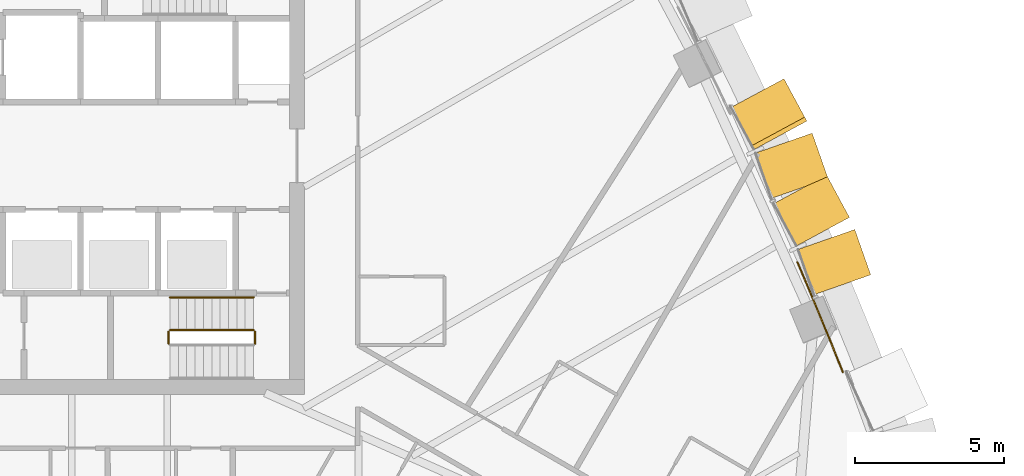
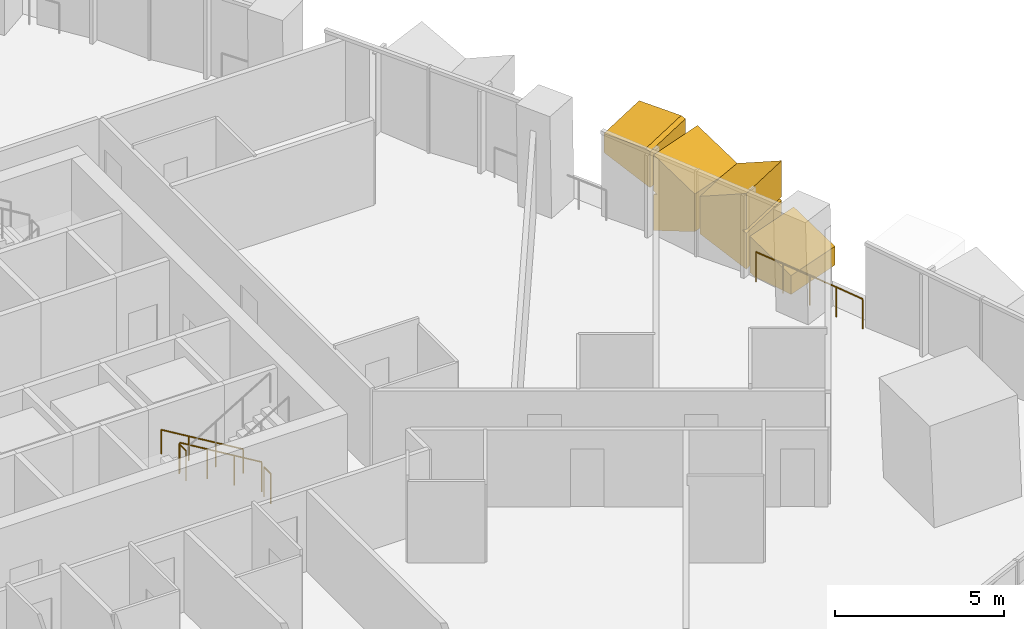
# One storey, part 22 of 27: 5 railings, 4 coverings.
"""IFC4 building model written with IfcOpenShell, lengths in metres."""

import ifcopenshell
import ifcopenshell.guid

model = None  # the IFC model being written
_history = None  # IfcOwnerHistory: only IFC2X3 demands one
_inside = {}  # id of a spatial element -> (the spatial element, [elements in it])
_under = {}  # id of a project, library or spatial element -> (it, [spatial elements below it])
_declared = {}  # id of a project -> (the project, [libraries it declares])
_typed = {}  # id of a type object -> (the type object, [elements of that type])
_made_of = {}  # id of a material, layer set ... -> (it, [elements and type objects made of it])


def new_model(schema):
    """Start an empty IFC model of exactly this schema.

    Asked for "IFC4X3", IfcOpenShell would pick the latest addendum, in which some entities
    have other attributes; the version numbers below select the first issue.
    IFC2X3 requires an IfcOwnerHistory on every rooted entity: one is made here for all.
    """
    global model, _history
    if schema == "IFC4X3":
        model = ifcopenshell.file(schema_version=(4, 3, 0, 0))
    else:
        model = ifcopenshell.file(schema=schema)
    _inside.clear()
    _under.clear()
    _declared.clear()
    _typed.clear()
    _made_of.clear()
    _history = None
    if model.schema == "IFC2X3":
        org = make("IfcOrganization", Name="unknown")
        user = make(
            "IfcPersonAndOrganization",
            ThePerson=make("IfcPerson", FamilyName="unknown"),
            TheOrganization=org,
        )
        app = make(
            "IfcApplication",
            ApplicationDeveloper=org,
            Version="unknown",
            ApplicationFullName="unknown",
            ApplicationIdentifier="unknown",
        )
        _history = make(
            "IfcOwnerHistory",
            OwningUser=user,
            OwningApplication=app,
            ChangeAction="ADDED",
            CreationDate=0,
        )
    return model


def make(cls, **values):
    """One entity of the class cls with the attributes given. An attribute that is None is left unset."""
    return model.create_entity(
        cls, **{name: value for name, value in values.items() if value is not None}
    )


def rooted(cls, **values):
    """An entity with a GlobalId (a new one), such as an element, a storey or a relation."""
    return make(cls, GlobalId=ifcopenshell.guid.new(), OwnerHistory=_history, **values)


def si_unit(unit_type, name, prefix=None):
    """IfcSIUnit, for example si_unit("LENGTHUNIT", "METRE", prefix="MILLI")."""
    return make("IfcSIUnit", UnitType=unit_type, Prefix=prefix, Name=name)


def assignment(units):
    """IfcUnitAssignment: the units of a project."""
    return None if units is None else make("IfcUnitAssignment", Units=units)


def point(xyz):
    """IfcCartesianPoint."""
    return None if xyz is None else make("IfcCartesianPoint", Coordinates=xyz)


def direction(xyz):
    """IfcDirection."""
    return None if xyz is None else make("IfcDirection", DirectionRatios=xyz)


def frame(location, z_axis=None, x_axis=None):
    """IfcAxis2Placement3D, a coordinate frame: its origin and axes. An axis left out is left unset."""
    return make(
        "IfcAxis2Placement3D",
        Location=point(location),
        Axis=direction(z_axis),
        RefDirection=direction(x_axis),
    )


def frame_2d(location, x_axis=None):
    """IfcAxis2Placement2D, a coordinate frame in the plane: its origin and x axis."""
    return make(
        "IfcAxis2Placement2D", Location=point(location), RefDirection=direction(x_axis)
    )


def origin():
    """The frame at (0, 0, 0) with its axes left unset."""
    return frame((0.0, 0.0, 0.0))


def origin_2d():
    """The frame at (0, 0) in the plane with its x axis left unset."""
    return frame_2d((0.0, 0.0))


def place(relative_to, where):
    """IfcLocalPlacement: puts the frame where relative to a parent placement (None: the world)."""
    return make(
        "IfcLocalPlacement", PlacementRelTo=relative_to, RelativePlacement=where
    )


def context(
    kind, dimensions, precision=None, world=None, true_north=None, identifier=None
):
    """IfcGeometricRepresentationContext, for example the 3D "Model" context."""
    return make(
        "IfcGeometricRepresentationContext",
        ContextIdentifier=identifier,
        ContextType=kind,
        CoordinateSpaceDimension=dimensions,
        Precision=precision,
        WorldCoordinateSystem=world,
        TrueNorth=true_north,
    )


def subcontext(parent, identifier, kind, view, scale=None):
    """IfcGeometricRepresentationSubContext, for example "Body" below "Model"."""
    return make(
        "IfcGeometricRepresentationSubContext",
        ContextIdentifier=identifier,
        ContextType=kind,
        ParentContext=parent,
        TargetScale=scale,
        TargetView=view,
    )


def project(units=None, contexts=None):
    """IfcProject with its units and contexts."""
    return rooted(
        "IfcProject",
        Name="project",
        RepresentationContexts=contexts,
        UnitsInContext=assignment(units),
    )


def spatial(cls, under=None, at=None, **own):
    """A site, building, storey or space (cls), placed at a placement, below another one or the project."""
    s = rooted(cls, ObjectPlacement=at, **own)
    if under is not None:
        _under.setdefault(under.id(), (under, []))[1].append(s)
    return s


def polyline(points):
    """IfcPolyline through the points."""
    return make("IfcPolyline", Points=[point(p) for p in points])


def profile(cls, at=None, kind="AREA", **sizes):
    """A parametric profile (cls). Its sizes go by their IFC names, for example OverallWidth=200.0."""
    return make(cls, ProfileType=kind, Position=at, **sizes)


def circle(**sizes):
    """IfcCircleProfileDef."""
    return profile("IfcCircleProfileDef", **sizes)


def outline(outer, holes=None, kind="AREA"):
    """IfcArbitraryClosedProfileDef: a profile drawn as a closed curve; with holes, ...WithVoids."""
    if holes is None:
        return make("IfcArbitraryClosedProfileDef", ProfileType=kind, OuterCurve=outer)
    return make(
        "IfcArbitraryProfileDefWithVoids",
        ProfileType=kind,
        OuterCurve=outer,
        InnerCurves=holes,
    )


def extrude(swept, where, along, depth):
    """IfcExtrudedAreaSolid: the profile swept, set in the frame where, extruded along a direction by depth."""
    return make(
        "IfcExtrudedAreaSolid",
        SweptArea=swept,
        Position=where,
        ExtrudedDirection=direction(along),
        Depth=depth,
    )


def shape(context_of_items, identifier, shape_type, items):
    """IfcShapeRepresentation: the items that make up one representation, for example the "Body"."""
    return make(
        "IfcShapeRepresentation",
        ContextOfItems=context_of_items,
        RepresentationIdentifier=identifier,
        RepresentationType=shape_type,
        Items=items,
    )


def material(Name=None, Category=None):
    """IfcMaterial."""
    return make("IfcMaterial", Name=Name, Category=Category)


def layer(
    of_material, thickness, ventilated=None, Name=None, Category=None, Priority=None
):
    """IfcMaterialLayer: one layer of a wall or slab, of a material (None: an air gap)."""
    return make(
        "IfcMaterialLayer",
        Material=of_material,
        LayerThickness=thickness,
        IsVentilated=ventilated,
        Name=Name,
        Category=Category,
        Priority=Priority,
    )


def layer_set(layers, Name=None):
    """IfcMaterialLayerSet."""
    return make("IfcMaterialLayerSet", MaterialLayers=layers, LayerSetName=Name)


def made_of(thing, what):
    """Note that an element or type object is made of a material, layer set ...; save() writes the relation."""
    if what is not None:
        _made_of.setdefault(what.id(), (what, []))[1].append(thing)
    return thing


def type_object(cls, material=None, **own):
    """A type object (cls), such as IfcWallType, which elements share."""
    return made_of(rooted(cls, **own), material)


def element(
    cls,
    number,
    at=None,
    inside=None,
    cuts=None,
    type_object=None,
    material=None,
    context=None,
    identifier="Body",
    shape_type=None,
    held_by="IfcProductDefinitionShape",
    body=None,
    shapes=None,
    **own,
):
    """One element of the class cls, such as IfcWall. Its Tag is "e" and its number.

    at: its placement. inside: the storey or other place that contains it. cuts: it is an
    opening in that element (IfcRelVoidsElement). A single representation is given by context,
    identifier, shape_type and body (its items); several are given by shapes. held_by: the class
    of the entity that holds the representations. save() writes the other relations.
    """
    e = rooted(cls, Tag="e%d" % number, ObjectPlacement=at, **own)
    if body is not None:
        shapes = [shape(context, identifier, shape_type, body)]
    if shapes is not None:
        e.Representation = make(held_by, Representations=shapes)
    if inside is not None:
        _inside.setdefault(inside.id(), (inside, []))[1].append(e)
    if cuts is not None:
        rooted(
            "IfcRelVoidsElement", RelatingBuildingElement=cuts, RelatedOpeningElement=e
        )
    if type_object is not None:
        _typed.setdefault(type_object.id(), (type_object, []))[1].append(e)
    return made_of(e, material)


def aggregate(whole, parts):
    """IfcRelAggregates: a whole, such as a stair, and the parts it consists of."""
    return rooted("IfcRelAggregates", RelatingObject=whole, RelatedObjects=parts)


def save(model, path):
    """Write the relations noted so far, then the file.

    IfcRelAggregates (storeys below a building ...), IfcRelContainedInSpatialStructure (elements
    in a storey), IfcRelDefinesByType, IfcRelAssociatesMaterial and IfcRelDeclares: one each for
    every whole, place, type object, material and project.
    """
    for whole, parts in _under.values():
        aggregate(whole, parts)
    for where, things in _inside.values():
        rooted(
            "IfcRelContainedInSpatialStructure",
            RelatedElements=things,
            RelatingStructure=where,
        )
    for kind, things in _typed.values():
        rooted("IfcRelDefinesByType", RelatedObjects=things, RelatingType=kind)
    for what, things in _made_of.values():
        rooted("IfcRelAssociatesMaterial", RelatedObjects=things, RelatingMaterial=what)
    for by, libraries in _declared.values():
        rooted("IfcRelDeclares", RelatingContext=by, RelatedDefinitions=libraries)
    model.write(path)


model = new_model("IFC4")

# Units and contexts
model_context = context("Model", 3, precision=1e-05, world=origin(), true_north=direction((0.0, 1.0)))
body_context = subcontext(model_context, "Body", "Model", "MODEL_VIEW")
ifc_project = project(units=[si_unit("LENGTHUNIT", "METRE"), si_unit("AREAUNIT", "SQUARE_METRE"), si_unit("VOLUMEUNIT", "CUBIC_METRE"), si_unit("PLANEANGLEUNIT", "RADIAN"), si_unit("MASSUNIT", "GRAM", prefix="KILO")], contexts=[model_context])

# Site, building, storey
site_placement = place(None, origin())
site = spatial("IfcSite", under=ifc_project, at=site_placement, CompositionType="ELEMENT")
building_placement = place(site_placement, origin())
building = spatial("IfcBuilding", under=site, at=building_placement, Name="Sierra Prisma Convention Tower", CompositionType="ELEMENT")
storey_placement = place(building_placement, frame((0.0, 0.0, 48.0)))
storey = spatial("IfcBuildingStorey", under=building, at=storey_placement, Name="L07", CompositionType="ELEMENT", Elevation=48.0)

# Coverings
ifc_material_1 = material(Name="Aluminium 6063-T6 bronze anodised", Category="aluminium")
ifc_layer = layer(ifc_material_1, 2.0)
ifc_layer_set = layer_set([ifc_layer], Name="Bronze crystal chevron frame")
covering_type = type_object("IfcCoveringType", Name="Bronze crystal chevron frame", PredefinedType="CLADDING", material=ifc_layer_set)
covering_1_placement = place(storey_placement, frame((29.505615234375, -2.614501953125, 0.0), z_axis=(0.943467727467, 0.331464398048, -7.444399e-06), x_axis=(-0.304579627525, 0.866952793313, 0.394492211157)))
element("IfcCovering", 1, at=covering_1_placement, inside=storey, type_object=covering_type, Name="CW-2 chevron frame NE2.1.1", PredefinedType="CLADDING", context=body_context, shape_type="SweptSolid", body=[
    extrude(outline(polyline([(0.0, 0.0), (0.16276363048261067, 0.0), (0.677934245101134, 1.1999981136352786), (-1.0750195453693623, 1.2001291039354023), (-1.34276572384001, 0.5764621090006341), (0.0, 0.0)])), origin(), (0.0, 0.0, -1.0), 2.0),
])
covering_2_placement = place(storey_placement, frame((29.276611328125, -2.06787109375, 1.42578125), z_axis=(0.879984070509, 0.475003195411, 0.0), x_axis=(0.0, 0.0, -1.0)))
element("IfcCovering", 2, at=covering_2_placement, inside=storey, type_object=covering_type, Name="CW-2 chevron frame NE2.1.2", PredefinedType="CLADDING", context=body_context, shape_type="SweptSolid", body=[
    extrude(outline(polyline([(0.0, 0.0), (1.305908203125, 0.0), (0.614501953125, 1.610802619089967), (-0.742919921875, 1.610802619089967), (-1.434326171875, 0.0), (-0.12841796875, 0.0), (-0.064208984375, 0.1495452499679872), (0.0, 0.0)])), origin(), (0.0, 0.0, -1.0), 2.0),
])
covering_3_placement = place(storey_placement, frame((28.5615234375, -0.763916015625, 0.811279296875), z_axis=(0.943467727493, 0.331464398057, 0.0), x_axis=(-0.304592168522, 0.866979629583, -0.394423544891)))
element("IfcCovering", 3, at=covering_3_placement, inside=storey, type_object=covering_type, Name="CW-2 chevron frame NE2.2.1", PredefinedType="CLADDING", context=body_context, shape_type="SweptSolid", body=[
    extrude(outline(polyline([(0.0, 0.0), (1.752953795370805, 1.1102230246251565e-16), (1.2378728525922191, 1.2000366066814334), (1.075109222608119, 1.2000487691665451), (1.1872217821301634, 1.3180435715560705), (0.6721408393515775, 2.518080178237504), (-0.5353991478498668, 1.2473740013364685), (0.0, 0.0)])), origin(), (0.0, 0.0, -1.0), 2.0),
])
covering_4_placement = place(storey_placement, frame((27.84814453125, 1.161376953125, 1.60986328125), z_axis=(0.879984070494, 0.475003195403, 5.796257e-06), x_axis=(-0.436494548067, 0.808638692642, 0.394431203468)))
element("IfcCovering", 4, at=covering_4_placement, inside=storey, type_object=covering_type, Name="CW-2 chevron frame NE2.2.2", PredefinedType="CLADDING", context=body_context, shape_type="SweptSolid", body=[
    extrude(outline(polyline([(0.0, 0.0), (1.7529197586293226, 1.1102230246251565e-16), (2.0206245305143145, 0.6236847695564302), (0.6778379108115239, 1.2000502723065893), (0.5150909441772739, 1.2000323137976059), (0.0, 0.0)])), origin(), (0.0, 0.0, -1.0), 2.0),
])

# Railings
ifc_material_2 = material(Name="Stainless steel", Category="steel")
railing_type_1 = type_object("IfcRailingType", Name="Exit stair handrail", PredefinedType="HANDRAIL", material=ifc_material_2)
railing_1_placement = place(storey_placement, frame((9.300048828125, -4.75, 0.168212890625)))
element("IfcRailing", 5, at=railing_1_placement, inside=storey, type_object=railing_type_1, Name="L07 S2 stair handrail 1", PredefinedType="HANDRAIL", context=body_context, shape_type="SweptSolid", body=[
    extrude(circle(Radius=0.02392578125, at=origin_2d()), frame((0.0, 0.0, 0.8759765625), z_axis=(-0.857242210791, 0.0, 0.514913383045), x_axis=(0.0, -1.0, 0.0)), (0.0, 0.0, 1.0), 3.266357421875),
    extrude(circle(Radius=0.02099609375, at=origin_2d()), origin(), (0.0, 0.0, 1.0), 0.851806640625),
    extrude(circle(Radius=0.02099609375, at=origin_2d()), frame((-0.933349609375, 0.0, 0.560546875)), (0.0, 0.0, 1.0), 0.851806640625),
    extrude(circle(Radius=0.02099609375, at=origin_2d()), frame((-1.86669921875, 0.0, 1.121337890625)), (0.0, 0.0, 1.0), 0.851806640625),
    extrude(circle(Radius=0.02099609375, at=origin_2d()), frame((-2.800048828125, 0.0, 1.681884765625)), (0.0, 0.0, 1.0), 0.851806640625),
])
ifc_material_3 = material(Name="Bronze anodised aluminium", Category="aluminium")
railing_type_2 = type_object("IfcRailingType", Name="Facade guard 1100", PredefinedType="GUARDRAIL", material=ifc_material_3)
railing_2_placement = place(storey_placement, frame((29.0546875, -7.254638671875, 0.0)))
element("IfcRailing", 6, at=railing_2_placement, inside=storey, type_object=railing_type_2, Name="Facade guard", PredefinedType="GUARDRAIL", context=body_context, shape_type="SweptSolid", body=[
    extrude(circle(Radius=0.02392578125, at=origin_2d()), frame((0.0, 0.0, 1.076171875), z_axis=(-0.371433002586, 0.928459759273, 0.0), x_axis=(-0.928459759273, -0.371433002586, 0.0)), (0.0, 0.0, 1.0), 0.994384765625),
    extrude(circle(Radius=0.02392578125, at=origin_2d()), frame((-0.369384765625, 0.92333984375, 1.076171875), z_axis=(-0.379668884166, 0.925122445083, 0.0), x_axis=(-0.925122445083, -0.379668884166, 0.0)), (0.0, 0.0, 1.0), 1.0),
    extrude(circle(Radius=0.02392578125, at=origin_2d()), frame((-0.7490234375, 1.848388671875, 1.076171875), z_axis=(-0.38459795715, 0.923084184328, 0.0), x_axis=(-0.923084184328, -0.38459795715, 0.0)), (0.0, 0.0, 1.0), 0.99462890625),
    extrude(circle(Radius=0.02392578125, at=origin_2d()), frame((-1.131591796875, 2.7666015625, 1.076171875), z_axis=(-0.392091666652, 0.919926151896, 0.0), x_axis=(-0.919926151896, -0.392091666652, 0.0)), (0.0, 0.0, 1.0), 1.0),
    extrude(circle(Radius=0.02099609375, at=origin_2d()), origin(), (0.0, 0.0, 1.0), 1.052001953125),
    extrude(circle(Radius=0.02099609375, at=origin_2d()), frame((-0.369384765625, 0.92333984375, 0.0)), (0.0, 0.0, 1.0), 1.052001953125),
    extrude(circle(Radius=0.02099609375, at=origin_2d()), frame((-0.7490234375, 1.848388671875, 0.0)), (0.0, 0.0, 1.0), 1.052001953125),
    extrude(circle(Radius=0.02099609375, at=origin_2d()), frame((-1.131591796875, 2.7666015625, 0.0)), (0.0, 0.0, 1.0), 1.052001953125),
    extrude(circle(Radius=0.02099609375, at=origin_2d()), frame((-1.523681640625, 3.6865234375, 0.0)), (0.0, 0.0, 1.0), 1.052001953125),
])
ifc_material_4 = material(Name="Stainless steel", Category="steel")
railing_type_3 = type_object("IfcRailingType", Name="Stair guard 1100", PredefinedType="GUARDRAIL", material=ifc_material_4)
railing_3_placement = place(storey_placement, frame((9.300048828125, -5.85009765625, 0.168212890625)))
element("IfcRailing", 7, at=railing_3_placement, inside=storey, type_object=railing_type_3, Name="L07 S2 stair guard 1", PredefinedType="GUARDRAIL", context=body_context, shape_type="SweptSolid", body=[
    extrude(circle(Radius=0.02392578125, at=origin_2d()), frame((0.0, 0.0, 1.076171875), z_axis=(-0.857242210791, 0.0, 0.514913383045), x_axis=(0.0, -1.0, 0.0)), (0.0, 0.0, 1.0), 3.266357421875),
    extrude(circle(Radius=0.02099609375, at=origin_2d()), origin(), (0.0, 0.0, 1.0), 1.052001953125),
    extrude(circle(Radius=0.02099609375, at=origin_2d()), frame((-0.933349609375, 0.0, 0.560546875)), (0.0, 0.0, 1.0), 1.052001953125),
    extrude(circle(Radius=0.02099609375, at=origin_2d()), frame((-1.86669921875, 0.0, 1.121337890625)), (0.0, 0.0, 1.0), 1.052001953125),
    extrude(circle(Radius=0.02099609375, at=origin_2d()), frame((-2.800048828125, 0.0, 1.681884765625)), (0.0, 0.0, 1.0), 1.052001953125),
])
for number, where, name in (
    (8, (6.449951171875, -5.89990234375, 1.85009765625), "L07 S2 stair guard 2"),
    (9, (9.35009765625, -5.89990234375, 0.0), "L07 S2 stair guard 4"),
):
    element("IfcRailing", number, at=place(storey_placement, frame(where)), inside=storey, type_object=railing_type_3, Name=name, PredefinedType="GUARDRAIL", context=body_context, shape_type="SweptSolid", body=[
        extrude(circle(Radius=0.02392578125, at=origin_2d()), frame((0.0, 0.0, 1.076171875), z_axis=(0.0, -1.0, 0.0), x_axis=(1.0, 0.0, 0.0)), (0.0, 0.0, 1.0), 0.400146484375),
        extrude(circle(Radius=0.02099609375, at=origin_2d()), origin(), (0.0, 0.0, 1.0), 1.052001953125),
        extrude(circle(Radius=0.02099609375, at=origin_2d()), frame((0.0, -0.400146484375, 0.0)), (0.0, 0.0, 1.0), 1.052001953125),
    ])

save(model, "model.ifc")
